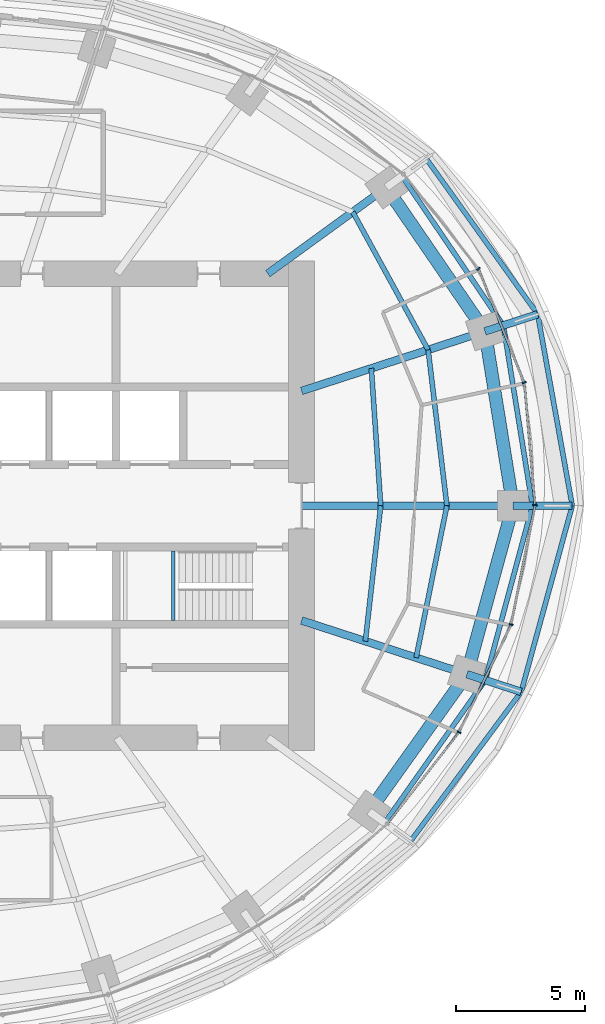
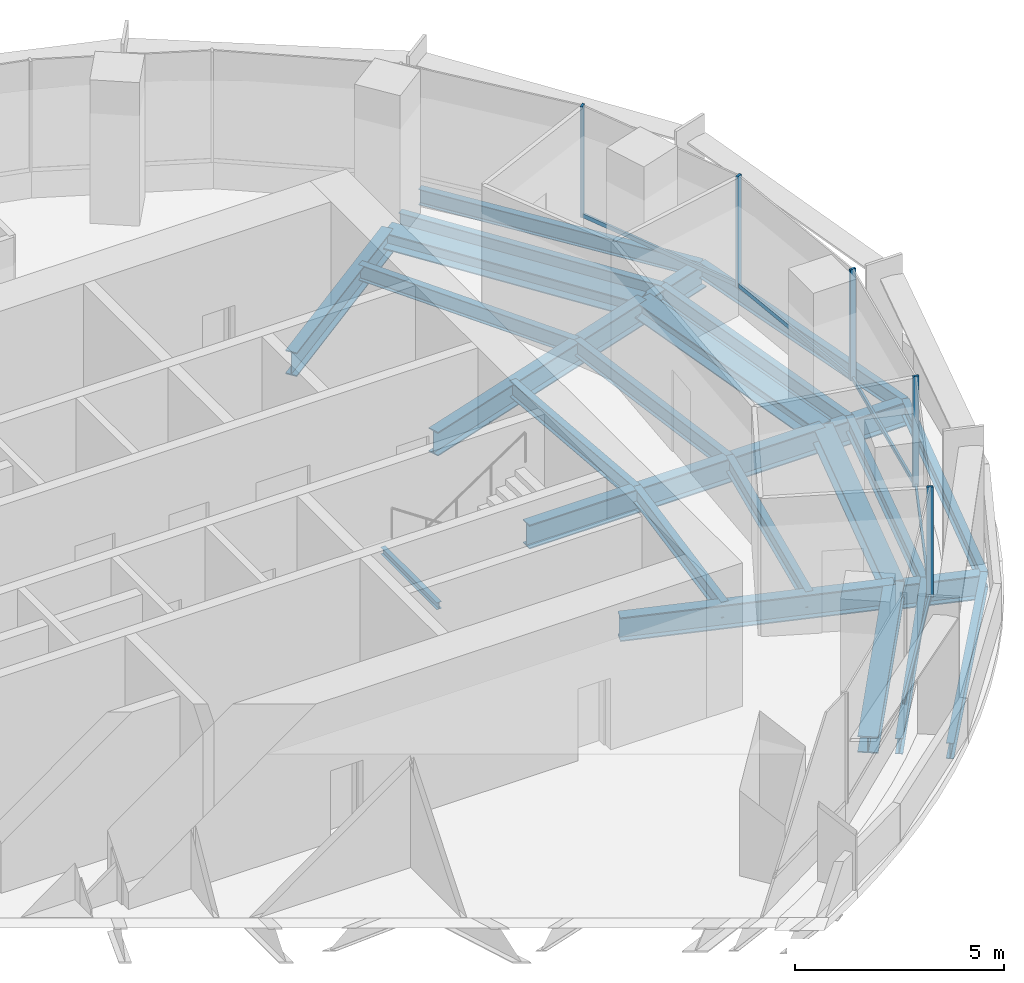
# One storey, part 6 of 15: 21 beams, 14 members, 2 elements without a shape of their own.
"""IFC4 building model written with IfcOpenShell, lengths in metres."""

from ifc_helpers import new_model, si_unit, direction, frame, origin, origin_2d, place, context, subcontext, project, spatial, rectangle, i_section, extrude, material, material_profile, profile_set, type_object, element, aggregate, save


model = new_model("IFC4")

# Units and contexts
model_context = context("Model", 3, precision=1e-05, world=origin(), true_north=direction((0.0, 1.0)))
body_context = subcontext(model_context, "Body", "Model", "MODEL_VIEW")
ifc_project = project(units=[si_unit("LENGTHUNIT", "METRE"), si_unit("AREAUNIT", "SQUARE_METRE"), si_unit("VOLUMEUNIT", "CUBIC_METRE"), si_unit("PLANEANGLEUNIT", "RADIAN"), si_unit("MASSUNIT", "GRAM", prefix="KILO")], contexts=[model_context])

# Site, building, storey
site_placement = place(None, origin())
site = spatial("IfcSite", under=ifc_project, at=site_placement, CompositionType="ELEMENT")
building_placement = place(site_placement, origin())
building = spatial("IfcBuilding", under=site, at=building_placement, Name="Marramba Exchange Tower", CompositionType="ELEMENT")
storey_placement = place(building_placement, frame((0.0, 0.0, 251.800048828125)))
storey = spatial("IfcBuildingStorey", under=building, at=storey_placement, Name="L61", CompositionType="ELEMENT", Elevation=251.800048828125)

# Members
ifc_material_1 = material(Name="Steel AS/NZS 3679.2 grade 300", Category="steel")
ifc_material_profile_1 = material_profile(ifc_material_1, i_section(OverallWidth=0.5, OverallDepth=0.48388671875, WebThickness=0.02490234375, FlangeThickness=0.031982421875, at=origin_2d()), Name="500WC340")
ifc_profile_set_1 = profile_set([ifc_material_profile_1], Name="Steel AS/NZS 3679.2 grade 300")
member_type_1 = type_object("IfcMemberType", Name="Belt truss chord 500WC340", PredefinedType="CHORD", material=ifc_profile_set_1)
member_1_placement = place(storey_placement, frame((21.89990234375, 0.0, -0.442138671875), z_axis=(-0.159384865399, 0.987216523708, 0.0), x_axis=(-0.987216523708, -0.159384865399, 0.0)))
element("IfcMember", 1, at=member_1_placement, inside=storey, type_object=member_type_1, Name="Belt chord L61 TC01-TC02", PredefinedType="CHORD", context=body_context, shape_type="SweptSolid", body=[
    extrude(i_section(OverallWidth=0.5, OverallDepth=0.48388671875, WebThickness=0.02490234375, FlangeThickness=0.031982421875, at=origin_2d()), origin(), (0.0, 0.0, 1.0), 6.8486328125),
])
member_2_placement = place(storey_placement, frame((20.808349609375, 6.760986328125, -0.442138671875), z_axis=(-0.56516002054, 0.824981303535, 0.0), x_axis=(-0.824981303535, -0.56516002054, 0.0)))
element("IfcMember", 2, at=member_2_placement, inside=storey, type_object=member_type_1, Name="Belt chord L61 TC02-TC03", PredefinedType="CHORD", context=body_context, shape_type="SweptSolid", body=[
    extrude(i_section(OverallWidth=0.5, OverallDepth=0.48388671875, WebThickness=0.02490234375, FlangeThickness=0.031982421875, at=origin_2d()), origin(), (0.0, 0.0, 1.0), 6.763671875),
])
member_3_placement = place(storey_placement, frame((16.3154296875, -11.853759765625, -0.442138671875), z_axis=(0.580637181111, 0.814162430914, 0.0), x_axis=(-0.814162430914, 0.580637181111, 0.0)))
element("IfcMember", 3, at=member_3_placement, inside=storey, type_object=member_type_1, Name="Belt chord L61 TC19-TC20", PredefinedType="CHORD", context=body_context, shape_type="SweptSolid", body=[
    extrude(i_section(OverallWidth=0.5, OverallDepth=0.48388671875, WebThickness=0.02490234375, FlangeThickness=0.031982421875, at=origin_2d()), origin(), (0.0, 0.0, 1.0), 6.5341796875),
])
member_4_placement = place(storey_placement, frame((20.109375, -6.533935546875, -0.442138671875), z_axis=(0.264291166956, 0.964442937176, 0.0), x_axis=(-0.964442937176, 0.264291166956, 0.0)))
element("IfcMember", 4, at=member_4_placement, inside=storey, type_object=member_type_1, Name="Belt chord L61 TC20-TC01", PredefinedType="CHORD", context=body_context, shape_type="SweptSolid", body=[
    extrude(i_section(OverallWidth=0.5, OverallDepth=0.48388671875, WebThickness=0.02490234375, FlangeThickness=0.031982421875, at=origin_2d()), origin(), (0.0, 0.0, 1.0), 6.77490234375),
])

# Beams
ifc_material_profile_2 = material_profile(ifc_material_1, i_section(OverallWidth=0.300048828125, OverallDepth=0.699951171875, WebThickness=0.010009765625, FlangeThickness=0.031982421875, at=origin_2d()), Name="700WB173")
ifc_profile_set_2 = profile_set([ifc_material_profile_2], Name="Steel AS/NZS 3679.2 grade 300")
beam_type_1 = type_object("IfcBeamType", Name="Cantilever girder 700WB173", PredefinedType="BEAM", material=ifc_profile_set_2)
beam_1_placement = place(storey_placement, frame((21.89990234375, 0.0, -0.60009765625), z_axis=(1.0, 0.0, 0.0), x_axis=(0.0, 1.0, 0.0)))
element("IfcBeam", 5, at=beam_1_placement, inside=storey, type_object=beam_type_1, Name="Cantilever girder L61 TC01", PredefinedType="BEAM", context=body_context, shape_type="SweptSolid", body=[
    extrude(i_section(OverallWidth=0.300048828125, OverallDepth=0.699951171875, WebThickness=0.010009765625, FlangeThickness=0.031982421875, at=origin_2d()), origin(), (0.0, 0.0, 1.0), 2.294189453125),
])
beam_2_placement = place(storey_placement, frame((20.808349609375, 6.760986328125, -0.60009765625), z_axis=(0.951051587859, 0.309032162129, 0.0), x_axis=(-0.309032162129, 0.951051587859, 0.0)))
element("IfcBeam", 6, at=beam_2_placement, inside=storey, type_object=beam_type_1, Name="Cantilever girder L61 TC02", PredefinedType="BEAM", context=body_context, shape_type="SweptSolid", body=[
    extrude(i_section(OverallWidth=0.300048828125, OverallDepth=0.699951171875, WebThickness=0.010009765625, FlangeThickness=0.031982421875, at=origin_2d()), origin(), (0.0, 0.0, 1.0), 2.150390625),
])
beam_3_placement = place(storey_placement, frame((20.109375, -6.533935546875, -0.60009765625), z_axis=(0.951050283347, -0.309036176758, 0.0), x_axis=(0.309036176758, 0.951050283347, 0.0)))
element("IfcBeam", 7, at=beam_3_placement, inside=storey, type_object=beam_type_1, Name="Cantilever girder L61 TC20", PredefinedType="BEAM", context=body_context, shape_type="SweptSolid", body=[
    extrude(i_section(OverallWidth=0.300048828125, OverallDepth=0.699951171875, WebThickness=0.010009765625, FlangeThickness=0.031982421875, at=origin_2d()), origin(), (0.0, 0.0, 1.0), 2.212890625),
])

# Curtain wall, members
ifc_material_2 = material(Name="Aluminium framing, bronze anodised", Category="aluminium")
curtain_wall_type = type_object("IfcCurtainWallType", Name="Executive floor ribbon curtain wall", PredefinedType="USERDEFINED", material=ifc_material_2)
curtain_wall_1_placement = place(storey_placement, origin())
curtain_wall_1 = element("IfcCurtainWall", 8, at=curtain_wall_1_placement, inside=storey, type_object=curtain_wall_type, Name="Curtain wall CW5 L61 F01-F05", ObjectType="RIBBON CURTAIN WALL", PredefinedType="USERDEFINED")
ifc_material_3 = material(Name="Aluminium mullion, bronze anodised", Category="aluminium")
ifc_material_profile_3 = material_profile(ifc_material_3, rectangle(XDim=0.159912109375, YDim=0.06005859375, at=origin_2d()), Name="CW5 mullion 60x160")
ifc_profile_set_3 = profile_set([ifc_material_profile_3], Name="Aluminium mullion, bronze anodised")
member_type_2 = type_object("IfcMemberType", Name="Executive floor ribbon curtain wall mullion", PredefinedType="MULLION", material=ifc_profile_set_3)
member_5_placement = place(storey_placement, frame((22.747314453125, 0.02978515625, 0.800048828125), z_axis=(0.0, 0.0, 1.0), x_axis=(-0.996331816632, -0.085574009881, 0.0)))
member_5 = element("IfcMember", 9, at=member_5_placement, type_object=member_type_2, Name="CW5 mullion 1", PredefinedType="MULLION", context=body_context, shape_type="SweptSolid", body=[
    extrude(rectangle(XDim=0.159912109375, YDim=0.06005859375, at=origin_2d()), origin(), (0.0, 0.0, 1.0), 3.239990234375),
])
member_6_placement = place(storey_placement, frame((22.330810546875, 4.77685546875, 0.800048828125), z_axis=(0.0, 0.0, 1.0), x_axis=(-0.927838139977, -0.372983090774, 0.0)))
member_6 = element("IfcMember", 10, at=member_6_placement, type_object=member_type_2, Name="CW5 mullion 1", PredefinedType="MULLION", context=body_context, shape_type="SweptSolid", body=[
    extrude(rectangle(XDim=0.159912109375, YDim=0.06005859375, at=origin_2d()), origin(), (0.0, 0.0, 1.0), 3.239990234375),
])
member_7_placement = place(storey_placement, frame((20.551025390625, 9.181884765625, 0.800048828125), z_axis=(0.0, 0.0, 1.0), x_axis=(-0.786002861604, -0.618222857512, 0.0)))
member_7 = element("IfcMember", 11, at=member_7_placement, type_object=member_type_2, Name="CW5 mullion 1", PredefinedType="MULLION", context=body_context, shape_type="SweptSolid", body=[
    extrude(rectangle(XDim=0.159912109375, YDim=0.06005859375, at=origin_2d()), origin(), (0.0, 0.0, 1.0), 3.239990234375),
])

curtain_wall_2_placement = place(storey_placement, origin())
curtain_wall_2 = element("IfcCurtainWall", 12, at=curtain_wall_2_placement, inside=storey, type_object=curtain_wall_type, Name="Curtain wall CW5 L61 F26-F30", ObjectType="RIBBON CURTAIN WALL", PredefinedType="USERDEFINED")
member_8_placement = place(storey_placement, frame((19.802978515625, -8.783935546875, 0.800048828125), z_axis=(0.0, 0.0, 1.0), x_axis=(-0.89969718031, 0.436514585945, 0.0)))
member_8 = element("IfcMember", 13, at=member_8_placement, type_object=member_type_2, Name="CW5 mullion 1", PredefinedType="MULLION", context=body_context, shape_type="SweptSolid", body=[
    extrude(rectangle(XDim=0.159912109375, YDim=0.06005859375, at=origin_2d()), origin(), (0.0, 0.0, 1.0), 3.239990234375),
])
member_9_placement = place(storey_placement, frame((21.82080078125, -4.607421875, 0.800048828125), z_axis=(0.0, 0.0, 1.0), x_axis=(-0.980268514856, 0.19767053089, 0.0)))
member_9 = element("IfcMember", 14, at=member_9_placement, type_object=member_type_2, Name="CW5 mullion 1", PredefinedType="MULLION", context=body_context, shape_type="SweptSolid", body=[
    extrude(rectangle(XDim=0.159912109375, YDim=0.06005859375, at=origin_2d()), origin(), (0.0, 0.0, 1.0), 3.239990234375),
])

# Member
ifc_material_4 = material(Name="Aluminium transom, bronze anodised", Category="aluminium")
ifc_material_profile_4 = material_profile(ifc_material_4, rectangle(XDim=0.06005859375, YDim=0.1201171875, at=origin_2d()), Name="CW5 transom 60x120")
ifc_profile_set_4 = profile_set([ifc_material_profile_4], Name="Aluminium transom, bronze anodised")
member_type_3 = type_object("IfcMemberType", Name="Executive floor ribbon curtain wall transom", PredefinedType="USERDEFINED", material=ifc_profile_set_4)
member_10_placement = place(storey_placement, frame((22.744873046875, 0.059814453125, 0.829833984375), z_axis=(-0.085590935521, 0.99633036276, 0.0), x_axis=(-0.99633036276, -0.085590935521, 0.0)))
member_10 = element("IfcMember", 15, at=member_10_placement, type_object=member_type_3, Name="CW5 sill transom", ObjectType="TRANSOM", PredefinedType="USERDEFINED", context=body_context, shape_type="SweptSolid", body=[
    extrude(rectangle(XDim=0.06005859375, YDim=0.1201171875, at=origin_2d()), origin(), (0.0, 0.0, 1.0), 4.70654296875),
])

member_11_placement = place(storey_placement, frame((22.31982421875, 4.8046875, 0.829833984375), z_axis=(-0.37301385018, 0.927825774364, 0.0), x_axis=(-0.927825774364, -0.37301385018, 0.0)))
member_11 = element("IfcMember", 16, at=member_11_placement, type_object=member_type_3, Name="CW5 sill transom", ObjectType="TRANSOM", PredefinedType="USERDEFINED", context=body_context, shape_type="SweptSolid", body=[
    extrude(rectangle(XDim=0.06005859375, YDim=0.1201171875, at=origin_2d()), origin(), (0.0, 0.0, 1.0), 4.692138671875),
])

aggregate(curtain_wall_1, [member_5, member_10, member_6, member_11, member_7])

member_12_placement = place(storey_placement, frame((17.0400390625, -12.30615234375, 0.829833984375), z_axis=(0.618320881677, 0.785925751762, 0.0), x_axis=(-0.785925751762, 0.618320881677, 0.0)))
member_12 = element("IfcMember", 17, at=member_12_placement, type_object=member_type_3, Name="CW5 sill transom", ObjectType="TRANSOM", PredefinedType="USERDEFINED", context=body_context, shape_type="SweptSolid", body=[
    extrude(rectangle(XDim=0.06005859375, YDim=0.1201171875, at=origin_2d()), origin(), (0.0, 0.0, 1.0), 4.447021484375),
])

member_13_placement = place(storey_placement, frame((19.81591796875, -8.757080078125, 0.829833984375), z_axis=(0.436519399678, 0.899694844769, 0.0), x_axis=(-0.899694844769, 0.436519399678, 0.0)))
member_13 = element("IfcMember", 18, at=member_13_placement, type_object=member_type_3, Name="CW5 sill transom", ObjectType="TRANSOM", PredefinedType="USERDEFINED", context=body_context, shape_type="SweptSolid", body=[
    extrude(rectangle(XDim=0.06005859375, YDim=0.1201171875, at=origin_2d()), origin(), (0.0, 0.0, 1.0), 4.579345703125),
])

member_14_placement = place(storey_placement, frame((21.826904296875, -4.578125, 0.829833984375), z_axis=(0.197654002556, 0.980271847639, 0.0), x_axis=(-0.980271847639, 0.197654002556, 0.0)))
member_14 = element("IfcMember", 19, at=member_14_placement, type_object=member_type_3, Name="CW5 sill transom", ObjectType="TRANSOM", PredefinedType="USERDEFINED", context=body_context, shape_type="SweptSolid", body=[
    extrude(rectangle(XDim=0.06005859375, YDim=0.1201171875, at=origin_2d()), origin(), (0.0, 0.0, 1.0), 4.670166015625),
])

aggregate(curtain_wall_2, [member_12, member_8, member_13, member_9, member_14])

# Beams
ifc_material_5 = material(Name="Steel AS/NZS 3679.1 grade 300", Category="steel")
ifc_material_profile_5 = material_profile(ifc_material_5, i_section(OverallWidth=0.19091796875, OverallDepth=0.4599609375, WebThickness=0.010009765625, FlangeThickness=0.01611328125, FilletRadius=0.011474609375, at=origin_2d()), Name="460UB82.1")
ifc_profile_set_5 = profile_set([ifc_material_profile_5], Name="Steel AS/NZS 3679.1 grade 300")
beam_type_2 = type_object("IfcBeamType", Name="Floor joist 460UB82.1", PredefinedType="JOIST", material=ifc_profile_set_5)
beam_4_placement = place(storey_placement, frame((16.7666015625, 0.0, -0.429931640625), z_axis=(-0.068096259546, 0.99767875563, 0.0), x_axis=(-0.99767875563, -0.068096259546, 0.0)))
element("IfcBeam", 20, at=beam_4_placement, inside=storey, type_object=beam_type_2, Name="Joist L61 bay 01 row 1", PredefinedType="JOIST", context=body_context, shape_type="SweptSolid", body=[
    extrude(i_section(OverallWidth=0.19091796875, OverallDepth=0.4599609375, WebThickness=0.010009765625, FlangeThickness=0.01611328125, FilletRadius=0.011474609375, at=origin_2d()), origin(), (0.0, 0.0, 1.0), 5.342041015625),
])
beam_5_placement = place(storey_placement, frame((19.333251953125, 0.0, -0.429931640625), z_axis=(-0.119523078538, 0.992831422597, 0.0), x_axis=(-0.992831422597, -0.119523078538, 0.0)))
element("IfcBeam", 21, at=beam_5_placement, inside=storey, type_object=beam_type_2, Name="Joist L61 bay 01 row 2", PredefinedType="JOIST", context=body_context, shape_type="SweptSolid", body=[
    extrude(i_section(OverallWidth=0.19091796875, OverallDepth=0.4599609375, WebThickness=0.010009765625, FlangeThickness=0.01611328125, FilletRadius=0.011474609375, at=origin_2d()), origin(), (0.0, 0.0, 1.0), 6.089111328125),
])
beam_6_placement = place(storey_placement, frame((18.60546875, 6.04541015625, -0.429931640625), z_axis=(-0.479584443791, 0.877495732909, 0.0), x_axis=(-0.877495732909, -0.479584443791, 0.0)))
element("IfcBeam", 22, at=beam_6_placement, inside=storey, type_object=beam_type_2, Name="Joist L61 bay 02 row 2", PredefinedType="JOIST", context=body_context, shape_type="SweptSolid", body=[
    extrude(i_section(OverallWidth=0.19091796875, OverallDepth=0.4599609375, WebThickness=0.010009765625, FlangeThickness=0.01611328125, FilletRadius=0.011474609375, at=origin_2d()), origin(), (0.0, 0.0, 1.0), 6.094970703125),
])
beam_7_placement = place(storey_placement, frame((16.169677734375, -5.25390625, -0.429931640625), z_axis=(0.112888968594, 0.993607609054, 0.0), x_axis=(-0.993607609054, 0.112888968594, 0.0)))
element("IfcBeam", 23, at=beam_7_placement, inside=storey, type_object=beam_type_2, Name="Joist L61 bay 20 row 1", PredefinedType="JOIST", context=body_context, shape_type="SweptSolid", body=[
    extrude(i_section(OverallWidth=0.19091796875, OverallDepth=0.4599609375, WebThickness=0.010009765625, FlangeThickness=0.01611328125, FilletRadius=0.011474609375, at=origin_2d()), origin(), (0.0, 0.0, 1.0), 5.28759765625),
])
beam_8_placement = place(storey_placement, frame((18.1396484375, -5.893798828125, -0.429931640625), z_axis=(0.198489047047, 0.980103105904, 0.0), x_axis=(-0.980103105904, 0.198489047047, 0.0)))
element("IfcBeam", 24, at=beam_8_placement, inside=storey, type_object=beam_type_2, Name="Joist L61 bay 20 row 2", PredefinedType="JOIST", context=body_context, shape_type="SweptSolid", body=[
    extrude(i_section(OverallWidth=0.19091796875, OverallDepth=0.4599609375, WebThickness=0.010009765625, FlangeThickness=0.01611328125, FilletRadius=0.011474609375, at=origin_2d()), origin(), (0.0, 0.0, 1.0), 6.013427734375),
])
ifc_material_profile_6 = material_profile(ifc_material_1, i_section(OverallWidth=0.300048828125, OverallDepth=0.699951171875, WebThickness=0.010009765625, FlangeThickness=0.031982421875, at=origin_2d()), Name="700WB173")
ifc_profile_set_6 = profile_set([ifc_material_profile_6], Name="Steel AS/NZS 3679.2 grade 300")
beam_type_3 = type_object("IfcBeamType", Name="Radial girder 700WB173", PredefinedType="BEAM", material=ifc_profile_set_6)
beam_9_placement = place(storey_placement, frame((13.699951171875, 0.0, -0.550048828125), z_axis=(1.0, 0.0, 0.0), x_axis=(0.0, 1.0, 0.0)))
element("IfcBeam", 25, at=beam_9_placement, inside=storey, type_object=beam_type_3, Name="Radial girder L61 TC01", PredefinedType="BEAM", context=body_context, shape_type="SweptSolid", body=[
    extrude(i_section(OverallWidth=0.300048828125, OverallDepth=0.699951171875, WebThickness=0.010009765625, FlangeThickness=0.031982421875, at=origin_2d()), origin(), (0.0, 0.0, 1.0), 8.199951171875),
])
beam_10_placement = place(storey_placement, frame((13.699951171875, 4.451416015625, -0.550048828125), z_axis=(0.951059990189, 0.309006302624, 0.0), x_axis=(-0.309006302624, 0.951059990189, 0.0)))
element("IfcBeam", 26, at=beam_10_placement, inside=storey, type_object=beam_type_3, Name="Radial girder L61 TC02", PredefinedType="BEAM", context=body_context, shape_type="SweptSolid", body=[
    extrude(i_section(OverallWidth=0.300048828125, OverallDepth=0.699951171875, WebThickness=0.010009765625, FlangeThickness=0.031982421875, at=origin_2d()), origin(), (0.0, 0.0, 1.0), 7.47412109375),
])
beam_11_placement = place(storey_placement, frame((12.387451171875, 9.0, -0.550048828125), z_axis=(0.809025746925, 0.587773205252, 0.0), x_axis=(-0.587773205252, 0.809025746925, 0.0)))
element("IfcBeam", 27, at=beam_11_placement, inside=storey, type_object=beam_type_3, Name="Radial girder L61 TC03", PredefinedType="BEAM", context=body_context, shape_type="SweptSolid", body=[
    extrude(i_section(OverallWidth=0.300048828125, OverallDepth=0.699951171875, WebThickness=0.010009765625, FlangeThickness=0.031982421875, at=origin_2d()), origin(), (0.0, 0.0, 1.0), 5.683837890625),
])
beam_12_placement = place(storey_placement, frame((13.699951171875, -4.451416015625, -0.550048828125), z_axis=(0.951057759669, -0.309013167637, 0.0), x_axis=(0.309013167637, 0.951057759669, 0.0)))
element("IfcBeam", 28, at=beam_12_placement, inside=storey, type_object=beam_type_3, Name="Radial girder L61 TC20", PredefinedType="BEAM", context=body_context, shape_type="SweptSolid", body=[
    extrude(i_section(OverallWidth=0.300048828125, OverallDepth=0.699951171875, WebThickness=0.010009765625, FlangeThickness=0.031982421875, at=origin_2d()), origin(), (0.0, 0.0, 1.0), 6.7392578125),
])
ifc_material_profile_7 = material_profile(ifc_material_5, i_section(OverallWidth=0.19091796875, OverallDepth=0.4599609375, WebThickness=0.010009765625, FlangeThickness=0.01611328125, FilletRadius=0.011474609375, at=origin_2d()), Name="460UB82.1")
ifc_profile_set_7 = profile_set([ifc_material_profile_7], Name="Steel AS/NZS 3679.1 grade 300")
beam_type_4 = type_object("IfcBeamType", Name="Slab edge beam 460UB82.1", PredefinedType="SPANDREL", material=ifc_profile_set_7)
beam_13_placement = place(storey_placement, frame((24.194091796875, 0.0, -0.47998046875), z_axis=(-0.177663817107, 0.984091239719, 0.0), x_axis=(-0.984091239719, -0.177663817107, 0.0)))
element("IfcBeam", 29, at=beam_13_placement, inside=storey, type_object=beam_type_4, Name="Setback roof edge beam L61 TC01-TC02", PredefinedType="SPANDREL", context=body_context, shape_type="SweptSolid", body=[
    extrude(i_section(OverallWidth=0.19091796875, OverallDepth=0.4599609375, WebThickness=0.010009765625, FlangeThickness=0.01611328125, FilletRadius=0.011474609375, at=origin_2d()), origin(), (0.0, 0.0, 1.0), 7.545654296875),
])
beam_14_placement = place(storey_placement, frame((22.853515625, 7.425537109375, -0.47998046875), z_axis=(-0.582189457885, 0.813053156398, 0.0), x_axis=(-0.813053156398, -0.582189457885, 0.0)))
element("IfcBeam", 30, at=beam_14_placement, inside=storey, type_object=beam_type_4, Name="Setback roof edge beam L61 TC02-TC03", PredefinedType="SPANDREL", context=body_context, shape_type="SweptSolid", body=[
    extrude(i_section(OverallWidth=0.19091796875, OverallDepth=0.4599609375, WebThickness=0.010009765625, FlangeThickness=0.01611328125, FilletRadius=0.011474609375, at=origin_2d()), origin(), (0.0, 0.0, 1.0), 7.42578125),
])
beam_15_placement = place(storey_placement, frame((17.916015625, -13.016845703125, -0.47998046875), z_axis=(0.595428136035, 0.803408572781, 0.0), x_axis=(-0.803408572781, 0.595428136035, 0.0)))
element("IfcBeam", 31, at=beam_15_placement, inside=storey, type_object=beam_type_4, Name="Setback roof edge beam L61 TC19-TC20", PredefinedType="SPANDREL", context=body_context, shape_type="SweptSolid", body=[
    extrude(i_section(OverallWidth=0.19091796875, OverallDepth=0.4599609375, WebThickness=0.010009765625, FlangeThickness=0.01611328125, FilletRadius=0.011474609375, at=origin_2d()), origin(), (0.0, 0.0, 1.0), 7.218017578125),
])
beam_16_placement = place(storey_placement, frame((22.2138671875, -7.2177734375, -0.47998046875), z_axis=(0.264577205901, 0.964364506874, 0.0), x_axis=(-0.964364506874, 0.264577205901, 0.0)))
element("IfcBeam", 32, at=beam_16_placement, inside=storey, type_object=beam_type_4, Name="Setback roof edge beam L61 TC20-TC01", PredefinedType="SPANDREL", context=body_context, shape_type="SweptSolid", body=[
    extrude(i_section(OverallWidth=0.19091796875, OverallDepth=0.4599609375, WebThickness=0.010009765625, FlangeThickness=0.01611328125, FilletRadius=0.011474609375, at=origin_2d()), origin(), (0.0, 0.0, 1.0), 7.484375),
])
beam_17_placement = place(storey_placement, frame((22.64990234375, 0.0, -0.429931640625), z_axis=(-0.159271449894, 0.987234827814, 0.0), x_axis=(-0.987234827814, -0.159271449894, 0.0)))
element("IfcBeam", 33, at=beam_17_placement, inside=storey, type_object=beam_type_4, Name="Slab edge beam L61 TC01-TC02", PredefinedType="SPANDREL", context=body_context, shape_type="SweptSolid", body=[
    extrude(i_section(OverallWidth=0.19091796875, OverallDepth=0.4599609375, WebThickness=0.010009765625, FlangeThickness=0.01611328125, FilletRadius=0.011474609375, at=origin_2d()), origin(), (0.0, 0.0, 1.0), 7.083251953125),
])
beam_18_placement = place(storey_placement, frame((21.521728515625, 6.992919921875, -0.429931640625), z_axis=(-0.561606374271, 0.827404544572, 0.0), x_axis=(-0.827404544572, -0.561606374271, 0.0)))
element("IfcBeam", 34, at=beam_18_placement, inside=storey, type_object=beam_type_4, Name="Slab edge beam L61 TC02-TC03", PredefinedType="SPANDREL", context=body_context, shape_type="SweptSolid", body=[
    extrude(i_section(OverallWidth=0.19091796875, OverallDepth=0.4599609375, WebThickness=0.010009765625, FlangeThickness=0.01611328125, FilletRadius=0.011474609375, at=origin_2d()), origin(), (0.0, 0.0, 1.0), 6.996337890625),
])
beam_19_placement = place(storey_placement, frame((16.922119140625, -12.294677734375, -0.429931640625), z_axis=(0.5764636086, 0.817122823056, 0.0), x_axis=(-0.817122823056, 0.5764636086, 0.0)))
element("IfcBeam", 35, at=beam_19_placement, inside=storey, type_object=beam_type_4, Name="Slab edge beam L61 TC19-TC20", PredefinedType="SPANDREL", context=body_context, shape_type="SweptSolid", body=[
    extrude(i_section(OverallWidth=0.19091796875, OverallDepth=0.4599609375, WebThickness=0.010009765625, FlangeThickness=0.01611328125, FilletRadius=0.011474609375, at=origin_2d()), origin(), (0.0, 0.0, 1.0), 6.7666015625),
])
beam_20_placement = place(storey_placement, frame((20.82275390625, -6.765625, -0.429931640625), z_axis=(0.260722999565, 0.96541365098, 0.0), x_axis=(-0.96541365098, 0.260722999565, 0.0)))
element("IfcBeam", 36, at=beam_20_placement, inside=storey, type_object=beam_type_4, Name="Slab edge beam L61 TC20-TC01", PredefinedType="SPANDREL", context=body_context, shape_type="SweptSolid", body=[
    extrude(i_section(OverallWidth=0.19091796875, OverallDepth=0.4599609375, WebThickness=0.010009765625, FlangeThickness=0.01611328125, FilletRadius=0.011474609375, at=origin_2d()), origin(), (0.0, 0.0, 1.0), 7.008056640625),
])
ifc_material_profile_8 = material_profile(ifc_material_5, i_section(OverallWidth=0.133056640625, OverallDepth=0.202880859375, WebThickness=0.005859375, FlangeThickness=0.0078125, FilletRadius=0.0087890625, at=origin_2d()), Name="200UB25.4")
ifc_profile_set_8 = profile_set([ifc_material_profile_8], Name="Steel AS/NZS 3679.1 grade 300")
beam_type_5 = type_object("IfcBeamType", Name="Stair landing beam 200UB25.4", PredefinedType="BEAM", material=ifc_profile_set_8)
beam_21_placement = place(storey_placement, frame((8.723388671875, -4.449951171875, 1.79833984375), z_axis=(0.0, 1.0, 0.0), x_axis=(-1.0, 0.0, 0.0)))
element("IfcBeam", 37, at=beam_21_placement, inside=storey, type_object=beam_type_5, Name="Stair landing beam SLB1 ST2 L61 2", PredefinedType="BEAM", context=body_context, shape_type="SweptSolid", body=[
    extrude(i_section(OverallWidth=0.133056640625, OverallDepth=0.202880859375, WebThickness=0.005859375, FlangeThickness=0.0078125, FilletRadius=0.0087890625, at=origin_2d()), origin(), (0.0, 0.0, 1.0), 2.699951171875),
])

save(model, "model.ifc")
